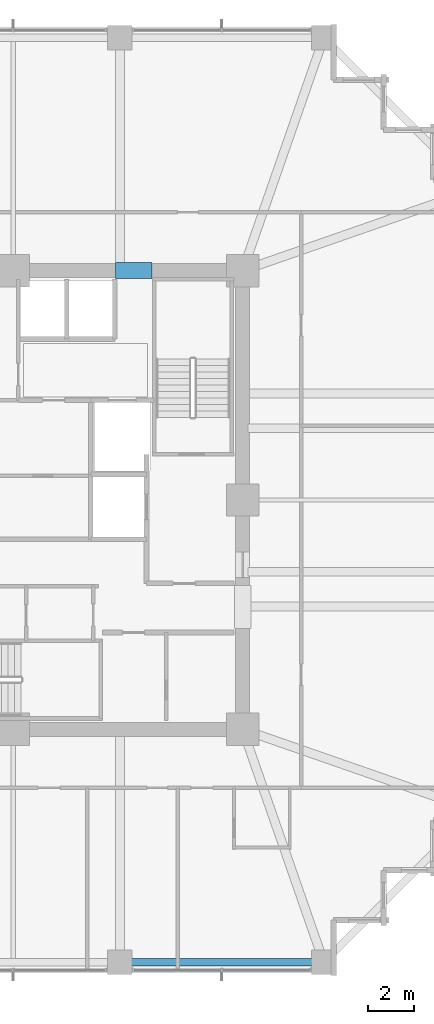
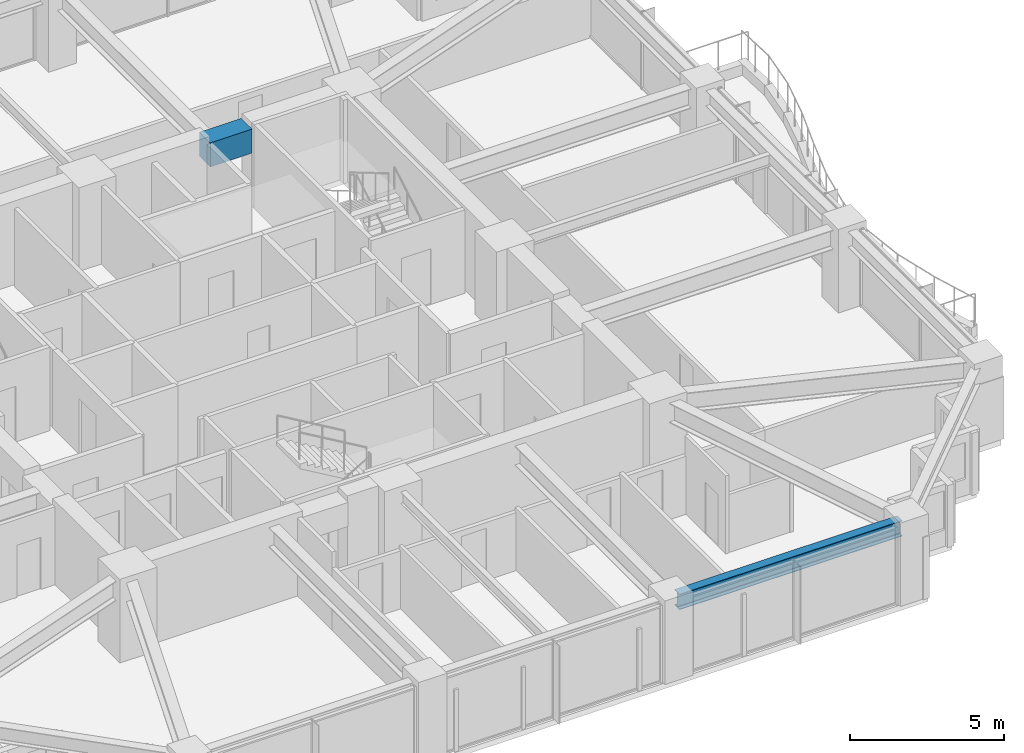
# One storey, part 11 of 36: 2 beams.
"""IFC4 building model written with IfcOpenShell, lengths in metres."""

from ifc_helpers import new_model, si_unit, direction, frame, origin, origin_2d, place, context, subcontext, project, spatial, rectangle, i_section, extrude, material, material_profile, profile_set, type_object, element, save


model = new_model("IFC4")

# Units and contexts
model_context = context("Model", 3, precision=1e-05, world=origin(), true_north=direction((0.0, 1.0)))
body_context = subcontext(model_context, "Body", "Model", "MODEL_VIEW")
ifc_project = project(units=[si_unit("LENGTHUNIT", "METRE"), si_unit("AREAUNIT", "SQUARE_METRE"), si_unit("VOLUMEUNIT", "CUBIC_METRE"), si_unit("PLANEANGLEUNIT", "RADIAN"), si_unit("MASSUNIT", "GRAM", prefix="KILO")], contexts=[model_context])

# Site, building, storey
site_placement = place(None, origin())
site = spatial("IfcSite", under=ifc_project, at=site_placement, CompositionType="ELEMENT")
building_placement = place(site_placement, origin())
building = spatial("IfcBuilding", under=site, at=building_placement, Name="Kolvaren Belvedere", CompositionType="ELEMENT")
storey_placement = place(building_placement, frame((0.0, 0.0, 92.0)))
storey = spatial("IfcBuildingStorey", under=building, at=storey_placement, Name="L26", CompositionType="ELEMENT", Elevation=92.0)

# Beams
ifc_material_1 = material(Name="Concrete C60/75", Category="concrete")
ifc_material_profile_1 = material_profile(ifc_material_1, rectangle(XDim=0.699951171875, YDim=0.949951171875, at=origin_2d()), Name="RC 700X950")
ifc_profile_set_1 = profile_set([ifc_material_profile_1], Name="Concrete C60/75")
beam_type_1 = type_object("IfcBeamType", Name="BM-LINT-950", PredefinedType="LINTEL", material=ifc_profile_set_1)
beam_1_placement = place(storey_placement, frame((4.419921875, 9.89990234375, 2.60498046875), z_axis=(1.0, 0.0, 0.0), x_axis=(0.0, 1.0, 0.0)))
element("IfcBeam", 1, at=beam_1_placement, inside=storey, type_object=beam_type_1, Name="L26 North Core Coupling Lintel", PredefinedType="LINTEL", context=body_context, shape_type="SweptSolid", body=[
    extrude(rectangle(XDim=0.699951171875, YDim=0.949951171875, at=origin_2d()), origin(), (0.0, 0.0, 1.0), 1.56005859375),
])
ifc_material_2 = material(Name="Structural steel ASTM A992 Grade 50", Category="steel")
ifc_material_profile_2 = material_profile(ifc_material_2, i_section(OverallWidth=0.324951171875, OverallDepth=0.615966796875, WebThickness=0.013916015625, FlangeThickness=0.021484375, FilletRadius=0.02001953125, at=origin_2d()), Name="W24X117")
ifc_profile_set_2 = profile_set([ifc_material_profile_2], Name="Structural steel ASTM A992 Grade 50")
beam_type_2 = type_object("IfcBeamType", Name="BM-SPAN-W24X117", PredefinedType="SPANDREL", material=ifc_profile_set_2)
beam_2_placement = place(storey_placement, frame((4.836181640625, -19.949951171875, 2.77197265625), z_axis=(1.0, 0.0, 0.0), x_axis=(0.0, 1.0, 0.0)))
element("IfcBeam", 2, at=beam_2_placement, inside=storey, type_object=beam_type_2, Name="L26 Perimeter Spandrel S3-S4", PredefinedType="SPANDREL", context=body_context, shape_type="SweptSolid", body=[
    extrude(i_section(OverallWidth=0.324951171875, OverallDepth=0.615966796875, WebThickness=0.013916015625, FlangeThickness=0.021484375, FilletRadius=0.02001953125, at=origin_2d()), origin(), (0.0, 0.0, 1.0), 8.32763671875),
])

save(model, "model.ifc")
